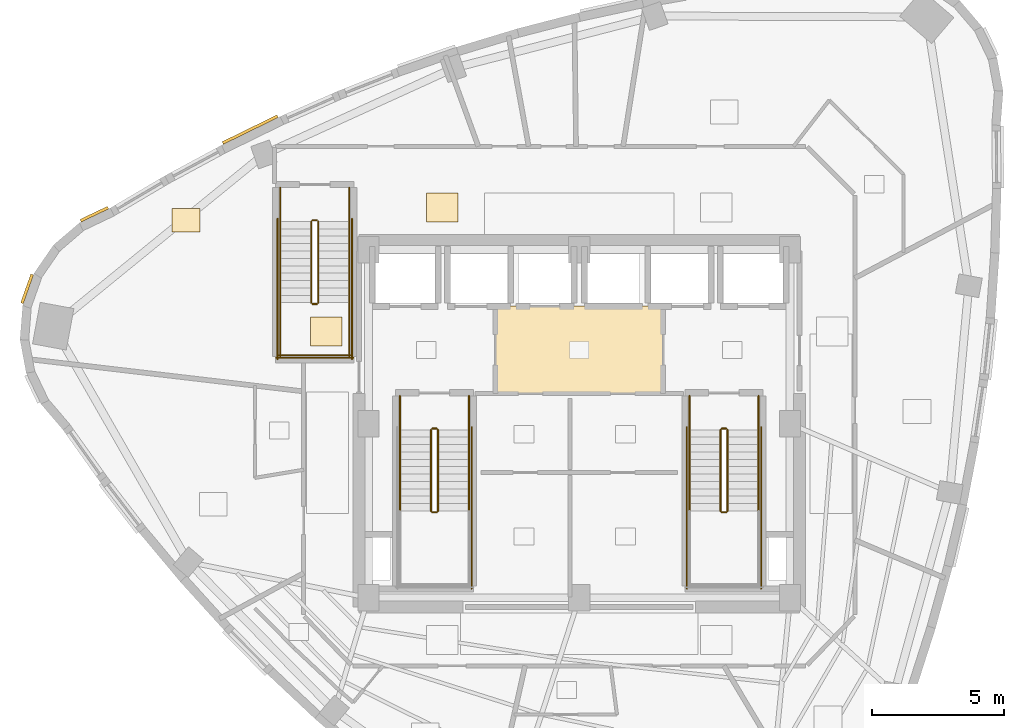
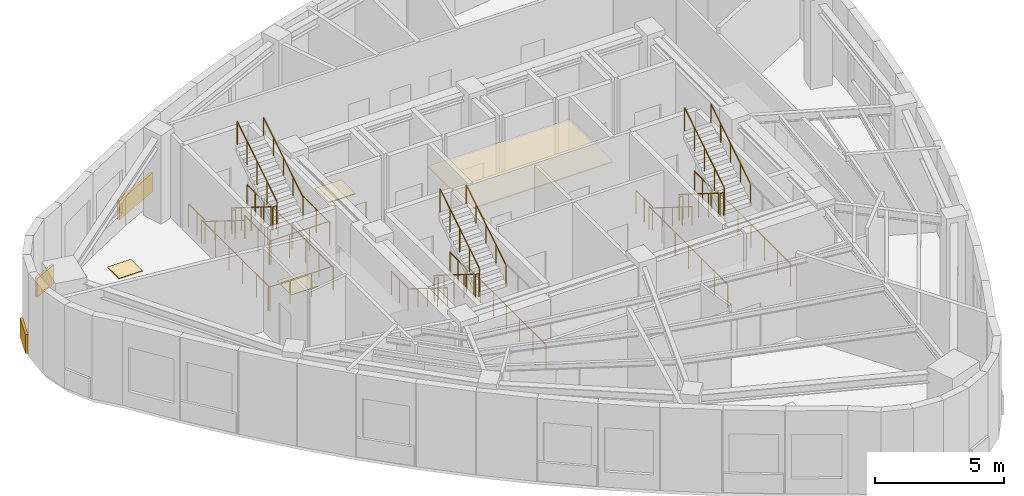
# One storey, part 8 of 9: 33 railings, 7 coverings.
"""IFC4 building model written with IfcOpenShell, lengths in metres."""

from ifc_helpers import new_model, si_unit, direction, frame, origin, origin_2d, place, context, subcontext, project, spatial, rectangle, circle, extrude, material, layer, layer_set, type_object, element, save


model = new_model("IFC4")

# Units and contexts
model_context = context("Model", 3, precision=1e-05, world=origin(), true_north=direction((0.0, 1.0)))
body_context = subcontext(model_context, "Body", "Model", "MODEL_VIEW")
ifc_project = project(units=[si_unit("LENGTHUNIT", "METRE"), si_unit("AREAUNIT", "SQUARE_METRE"), si_unit("VOLUMEUNIT", "CUBIC_METRE"), si_unit("PLANEANGLEUNIT", "RADIAN"), si_unit("MASSUNIT", "GRAM", prefix="KILO")], contexts=[model_context])

# Site, building, storey
site_placement = place(None, origin())
site = spatial("IfcSite", under=ifc_project, at=site_placement, CompositionType="ELEMENT")
building_placement = place(site_placement, origin())
building = spatial("IfcBuilding", under=site, at=building_placement, Name="Ndelora Gate Hotel", CompositionType="ELEMENT")
storey_placement = place(building_placement, frame((0.0, 0.0, 268.60009765625)))
storey = spatial("IfcBuildingStorey", under=building, at=storey_placement, Name="L67", CompositionType="ELEMENT", Elevation=268.60009765625)

# Coverings
ifc_material_1 = material(Name="Perforated Acoustic Gypsum Board", Category="gypsum")
ifc_layer_1 = layer(ifc_material_1, 0.054931640625)
ifc_layer_set_1 = layer_set([ifc_layer_1], Name="Perforated Acoustic Gypsum Board")
covering_type_1 = type_object("IfcCoveringType", Name="COV-CEIL-AC60", PredefinedType="CEILING", material=ifc_layer_set_1)
covering_1_placement = place(storey_placement, frame((0.0, 2.800048828125, 2.72265625), z_axis=(0.0, 0.0, 1.0), x_axis=(1.0, 0.0, 0.0)))
element("IfcCovering", 1, at=covering_1_placement, inside=storey, type_object=covering_type_1, Name="L67 Lift Lobby Acoustic Ceiling", PredefinedType="CEILING", context=body_context, shape_type="SweptSolid", body=[
    extrude(rectangle(XDim=6.39990234375, YDim=3.340087890625, at=origin_2d()), origin(), (0.0, 0.0, 1.0), 0.054931640625),
])
ifc_material_2 = material(Name="Terracotta Fired Clay Brick Slip Cladding", Category="masonry")
ifc_layer_2 = layer(ifc_material_2, 0.110107421875)
ifc_layer_set_2 = layer_set([ifc_layer_2], Name="Terracotta Fired Clay Brick Slip Cladding")
covering_type_2 = type_object("IfcCoveringType", Name="COV-CLAD-BRK", PredefinedType="CLADDING", material=ifc_layer_set_2)
for number, where, z_axis, x_axis, name in (
    (2, (-18.3916015625, 7.9462890625, 0.099853515625), (0.0, 0.0, 1.0), (0.90258528435, 0.430511096808, 0.0), "L67 Rounded-Corner Brick Cladding Band 1"),
    (3, (-20.940673828125, 5.115234375, 0.099853515625), (0.0, 0.0, 1.0), (0.333806859234, 0.942641491092, 0.0), "L67 Rounded-Corner Brick Cladding Band 4"),
):
    element("IfcCovering", number, at=place(storey_placement, frame(where, z_axis=z_axis, x_axis=x_axis)), inside=storey, type_object=covering_type_2, Name=name, PredefinedType="CLADDING", context=body_context, shape_type="SweptSolid", body=[
        extrude(rectangle(XDim=1.153076171875, YDim=0.110107421875, at=origin_2d()), origin(), (0.0, 0.0, 1.0), 0.89990234375),
    ])
covering_2_placement = place(storey_placement, frame((-12.480224609375, 11.15380859375, 0.099853515625), z_axis=(0.0, 0.0, 1.0), x_axis=(0.898181088787, 0.4396256723, 0.0)))
element("IfcCovering", 4, at=covering_2_placement, inside=storey, type_object=covering_type_2, Name="L67 Rounded-Corner Brick Cladding Band 58", PredefinedType="CLADDING", context=body_context, shape_type="SweptSolid", body=[
    extrude(rectangle(XDim=2.322021484375, YDim=0.110107421875, at=origin_2d()), origin(), (0.0, 0.0, 1.0), 0.89990234375),
])
ifc_material_3 = material(Name="Engineered Highland Oak Parquet", Category="wood")
ifc_layer_3 = layer(ifc_material_3, 0.030029296875)
ifc_layer_set_3 = layer_set([ifc_layer_3], Name="Engineered Highland Oak Parquet")
covering_type_3 = type_object("IfcCoveringType", Name="COV-FLR-PARQ", PredefinedType="FLOORING", material=ifc_layer_set_3)
covering_3_placement = place(storey_placement, frame((-14.9140625, 7.714111328125, 0.0), z_axis=(0.0, 0.0, 1.0), x_axis=(1.0, 0.0, 0.0)))
element("IfcCovering", 5, at=covering_3_placement, inside=storey, type_object=covering_type_3, Name="L67 Sky Garden Tea Dining Room Oak Parquet Flooring", PredefinedType="FLOORING", context=body_context, shape_type="SweptSolid", body=[
    extrude(rectangle(XDim=1.050048828125, YDim=0.89990234375, at=origin_2d()), origin(), (0.0, 0.0, 1.0), 0.030029296875),
])
ifc_material_4 = material(Name="Polished Highland Stone Terrazzo", Category="masonry")
ifc_layer_4 = layer(ifc_material_4, 0.034912109375)
ifc_layer_set_4 = layer_set([ifc_layer_4], Name="Polished Highland Stone Terrazzo")
covering_type_4 = type_object("IfcCoveringType", Name="COV-FLR-TERZ", PredefinedType="FLOORING", material=ifc_layer_set_4)
for number, where, z_axis, x_axis, name in (
    (6, (-5.199951171875, 8.199951171875, 0.0), (0.0, 0.0, 1.0), (1.0, 0.0, 0.0), "L67 Corridor Threshold Terrazzo Inlay NW"),
    (7, (-9.60009765625, 3.5, 0.0), (0.0, 0.0, 1.0), (1.0, 0.0, 0.0), "L67 Corridor Threshold Terrazzo Inlay W"),
):
    element("IfcCovering", number, at=place(storey_placement, frame(where, z_axis=z_axis, x_axis=x_axis)), inside=storey, type_object=covering_type_4, Name=name, PredefinedType="FLOORING", context=body_context, shape_type="SweptSolid", body=[
        extrude(rectangle(XDim=1.199951171875, YDim=1.10009765625, at=origin_2d()), origin(), (0.0, 0.0, 1.0), 0.034912109375),
    ])

# Railings
ifc_material_5 = material(Name="Painted Galvanized Steel Balustrade", Category="steel")
ifc_layer_5 = layer(ifc_material_5, 0.06005859375)
ifc_layer_set_5 = layer_set([ifc_layer_5], Name="Painted Galvanized Steel Balustrade")
railing_type_1 = type_object("IfcRailingType", Name="RL-STAIR-GD", PredefinedType="GUARDRAIL", material=ifc_layer_set_5)
railing_1_placement = place(storey_placement, frame((-5.6201171875, -0.22998046875, 0.1748046875)))
element("IfcRailing", 8, at=railing_1_placement, inside=storey, type_object=railing_type_1, Name="L67 ST4 stair guard 1", PredefinedType="GUARDRAIL", context=body_context, shape_type="SweptSolid", body=[
    extrude(circle(Radius=0.02392578125, at=origin_2d()), frame((0.0, 0.0, 1.10595703125), z_axis=(0.0, -0.847998304005, 0.529998940003), x_axis=(1.0, 0.0, 0.0)), (0.0, 0.0, 1.0), 3.632080078125),
    extrude(circle(Radius=0.02099609375, at=origin_2d()), origin(), (0.0, 0.0, 1.0), 1.081787109375),
    extrude(circle(Radius=0.02099609375, at=origin_2d()), frame((0.0, -0.77001953125, 0.481201171875)), (0.0, 0.0, 1.0), 1.081787109375),
    extrude(circle(Radius=0.02099609375, at=origin_2d()), frame((0.0, -1.5400390625, 0.96240234375)), (0.0, 0.0, 1.0), 1.081787109375),
    extrude(circle(Radius=0.02099609375, at=origin_2d()), frame((0.0, -2.31005859375, 1.44384765625)), (0.0, 0.0, 1.0), 1.081787109375),
    extrude(circle(Radius=0.02099609375, at=origin_2d()), frame((0.0, -3.080078125, 1.925048828125)), (0.0, 0.0, 1.0), 1.081787109375),
])
railing_2_placement = place(storey_placement, frame((-5.570068359375, -3.360107421875, 2.099853515625)))
element("IfcRailing", 9, at=railing_2_placement, inside=storey, type_object=railing_type_1, Name="L67 ST4 stair guard 2", PredefinedType="GUARDRAIL", context=body_context, shape_type="SweptSolid", body=[
    extrude(circle(Radius=0.02392578125, at=origin_2d()), frame((0.0, 0.0, 1.10595703125), z_axis=(1.0, 0.0, 0.0), x_axis=(0.0, 1.0, 0.0)), (0.0, 0.0, 1.0), 0.16015625),
    extrude(circle(Radius=0.02099609375, at=origin_2d()), origin(), (0.0, 0.0, 1.0), 1.081787109375),
    extrude(circle(Radius=0.02099609375, at=origin_2d()), frame((0.16015625, 0.0, 0.0)), (0.0, 0.0, 1.0), 1.081787109375),
])
railing_3_placement = place(storey_placement, frame((-5.360107421875, -3.31005859375, 2.27490234375)))
element("IfcRailing", 10, at=railing_3_placement, inside=storey, type_object=railing_type_1, Name="L67 ST4 stair guard 6", PredefinedType="GUARDRAIL", context=body_context, shape_type="SweptSolid", body=[
    extrude(circle(Radius=0.02392578125, at=origin_2d()), frame((0.0, 0.0, 1.10595703125), z_axis=(0.0, 0.847998304005, 0.529998940003), x_axis=(-1.0, 0.0, 0.0)), (0.0, 0.0, 1.0), 3.632080078125),
    extrude(circle(Radius=0.02099609375, at=origin_2d()), origin(), (0.0, 0.0, 1.0), 1.081787109375),
    extrude(circle(Radius=0.02099609375, at=origin_2d()), frame((0.0, 0.77001953125, 0.481201171875)), (0.0, 0.0, 1.0), 1.081787109375),
    extrude(circle(Radius=0.02099609375, at=origin_2d()), frame((0.0, 1.5400390625, 0.96240234375)), (0.0, 0.0, 1.0), 1.081787109375),
    extrude(circle(Radius=0.02099609375, at=origin_2d()), frame((0.0, 2.31005859375, 1.44384765625)), (0.0, 0.0, 1.0), 1.081787109375),
    extrude(circle(Radius=0.02099609375, at=origin_2d()), frame((0.0, 3.080078125, 1.925048828125)), (0.0, 0.0, 1.0), 1.081787109375),
])
railing_4_placement = place(storey_placement, frame((-5.570068359375, -0.179931640625, 0.0)))
element("IfcRailing", 11, at=railing_4_placement, inside=storey, type_object=railing_type_1, Name="L67 ST4 stair guard 7", PredefinedType="GUARDRAIL", context=body_context, shape_type="SweptSolid", body=[
    extrude(circle(Radius=0.02392578125, at=origin_2d()), frame((0.0, 0.0, 1.10595703125), z_axis=(1.0, 0.0, 0.0), x_axis=(0.0, 1.0, 0.0)), (0.0, 0.0, 1.0), 0.16015625),
    extrude(circle(Radius=0.02099609375, at=origin_2d()), origin(), (0.0, 0.0, 1.0), 1.081787109375),
    extrude(circle(Radius=0.02099609375, at=origin_2d()), frame((0.16015625, 0.0, 0.0)), (0.0, 0.0, 1.0), 1.081787109375),
])
for number, where, name in (
    (12, (-6.800048828125, 1.050048828125, 0.0), "L67 ST4 stair guard 8"),
    (13, (-4.179931640625, 1.050048828125, 0.0), "L67 ST4 stair guard 9"),
):
    element("IfcRailing", number, at=place(storey_placement, frame(where)), inside=storey, type_object=railing_type_1, Name=name, PredefinedType="GUARDRAIL", context=body_context, shape_type="SweptSolid", body=[
        extrude(circle(Radius=0.02392578125, at=origin_2d()), frame((0.0, 0.0, 1.10595703125), z_axis=(0.0, -1.0, 0.0), x_axis=(1.0, 0.0, 0.0)), (0.0, 0.0, 1.0), 1.280029296875),
        extrude(circle(Radius=0.02099609375, at=origin_2d()), origin(), (0.0, 0.0, 1.0), 1.081787109375),
        extrude(circle(Radius=0.02099609375, at=origin_2d()), frame((0.0, -0.64013671875, 0.0)), (0.0, 0.0, 1.0), 1.081787109375),
        extrude(circle(Radius=0.02099609375, at=origin_2d()), frame((0.0, -1.280029296875, 0.0)), (0.0, 0.0, 1.0), 1.081787109375),
    ])
railing_5_placement = place(storey_placement, frame((-4.080078125, -0.1298828125, 0.0)))
element("IfcRailing", 14, at=railing_5_placement, inside=storey, type_object=railing_type_1, Name="L67 ST4 stair guard 11", PredefinedType="GUARDRAIL", context=body_context, shape_type="SweptSolid", body=[
    extrude(circle(Radius=0.02392578125, at=origin_2d()), frame((0.0, 0.0, 1.10595703125), z_axis=(0.0, -1.0, 0.0), x_axis=(1.0, 0.0, 0.0)), (0.0, 0.0, 1.0), 6.1201171875),
    extrude(circle(Radius=0.02099609375, at=origin_2d()), origin(), (0.0, 0.0, 1.0), 1.081787109375),
    extrude(circle(Radius=0.02099609375, at=origin_2d()), frame((0.0, -1.02001953125, 0.0)), (0.0, 0.0, 1.0), 1.081787109375),
    extrude(circle(Radius=0.02099609375, at=origin_2d()), frame((0.0, -2.0400390625, 0.0)), (0.0, 0.0, 1.0), 1.081787109375),
    extrude(circle(Radius=0.02099609375, at=origin_2d()), frame((0.0, -3.06005859375, 0.0)), (0.0, 0.0, 1.0), 1.081787109375),
    extrude(circle(Radius=0.02099609375, at=origin_2d()), frame((0.0, -4.080078125, 0.0)), (0.0, 0.0, 1.0), 1.081787109375),
    extrude(circle(Radius=0.02099609375, at=origin_2d()), frame((0.0, -5.10009765625, 0.0)), (0.0, 0.0, 1.0), 1.081787109375),
    extrude(circle(Radius=0.02099609375, at=origin_2d()), frame((0.0, -6.1201171875, 0.0)), (0.0, 0.0, 1.0), 1.081787109375),
])
railing_6_placement = place(storey_placement, frame((5.360107421875, -0.22998046875, 0.1748046875)))
element("IfcRailing", 15, at=railing_6_placement, inside=storey, type_object=railing_type_1, Name="L67 ST5 stair guard 1", PredefinedType="GUARDRAIL", context=body_context, shape_type="SweptSolid", body=[
    extrude(circle(Radius=0.02392578125, at=origin_2d()), frame((0.0, 0.0, 1.10595703125), z_axis=(0.0, -0.847998304005, 0.529998940003), x_axis=(1.0, 0.0, 0.0)), (0.0, 0.0, 1.0), 3.632080078125),
    extrude(circle(Radius=0.02099609375, at=origin_2d()), origin(), (0.0, 0.0, 1.0), 1.081787109375),
    extrude(circle(Radius=0.02099609375, at=origin_2d()), frame((0.0, -0.77001953125, 0.481201171875)), (0.0, 0.0, 1.0), 1.081787109375),
    extrude(circle(Radius=0.02099609375, at=origin_2d()), frame((0.0, -1.5400390625, 0.96240234375)), (0.0, 0.0, 1.0), 1.081787109375),
    extrude(circle(Radius=0.02099609375, at=origin_2d()), frame((0.0, -2.31005859375, 1.44384765625)), (0.0, 0.0, 1.0), 1.081787109375),
    extrude(circle(Radius=0.02099609375, at=origin_2d()), frame((0.0, -3.080078125, 1.925048828125)), (0.0, 0.0, 1.0), 1.081787109375),
])
railing_7_placement = place(storey_placement, frame((5.409912109375, -3.360107421875, 2.099853515625)))
element("IfcRailing", 16, at=railing_7_placement, inside=storey, type_object=railing_type_1, Name="L67 ST5 stair guard 2", PredefinedType="GUARDRAIL", context=body_context, shape_type="SweptSolid", body=[
    extrude(circle(Radius=0.02392578125, at=origin_2d()), frame((0.0, 0.0, 1.10595703125), z_axis=(1.0, 0.0, 0.0), x_axis=(0.0, 1.0, 0.0)), (0.0, 0.0, 1.0), 0.16015625),
    extrude(circle(Radius=0.02099609375, at=origin_2d()), origin(), (0.0, 0.0, 1.0), 1.081787109375),
    extrude(circle(Radius=0.02099609375, at=origin_2d()), frame((0.16015625, 0.0, 0.0)), (0.0, 0.0, 1.0), 1.081787109375),
])
railing_8_placement = place(storey_placement, frame((5.6201171875, -3.31005859375, 2.27490234375)))
element("IfcRailing", 17, at=railing_8_placement, inside=storey, type_object=railing_type_1, Name="L67 ST5 stair guard 6", PredefinedType="GUARDRAIL", context=body_context, shape_type="SweptSolid", body=[
    extrude(circle(Radius=0.02392578125, at=origin_2d()), frame((0.0, 0.0, 1.10595703125), z_axis=(0.0, 0.847998304005, 0.529998940003), x_axis=(-1.0, 0.0, 0.0)), (0.0, 0.0, 1.0), 3.632080078125),
    extrude(circle(Radius=0.02099609375, at=origin_2d()), origin(), (0.0, 0.0, 1.0), 1.081787109375),
    extrude(circle(Radius=0.02099609375, at=origin_2d()), frame((0.0, 0.77001953125, 0.481201171875)), (0.0, 0.0, 1.0), 1.081787109375),
    extrude(circle(Radius=0.02099609375, at=origin_2d()), frame((0.0, 1.5400390625, 0.96240234375)), (0.0, 0.0, 1.0), 1.081787109375),
    extrude(circle(Radius=0.02099609375, at=origin_2d()), frame((0.0, 2.31005859375, 1.44384765625)), (0.0, 0.0, 1.0), 1.081787109375),
    extrude(circle(Radius=0.02099609375, at=origin_2d()), frame((0.0, 3.080078125, 1.925048828125)), (0.0, 0.0, 1.0), 1.081787109375),
])
railing_9_placement = place(storey_placement, frame((5.409912109375, -0.179931640625, 0.0)))
element("IfcRailing", 18, at=railing_9_placement, inside=storey, type_object=railing_type_1, Name="L67 ST5 stair guard 7", PredefinedType="GUARDRAIL", context=body_context, shape_type="SweptSolid", body=[
    extrude(circle(Radius=0.02392578125, at=origin_2d()), frame((0.0, 0.0, 1.10595703125), z_axis=(1.0, 0.0, 0.0), x_axis=(0.0, 1.0, 0.0)), (0.0, 0.0, 1.0), 0.16015625),
    extrude(circle(Radius=0.02099609375, at=origin_2d()), origin(), (0.0, 0.0, 1.0), 1.081787109375),
    extrude(circle(Radius=0.02099609375, at=origin_2d()), frame((0.16015625, 0.0, 0.0)), (0.0, 0.0, 1.0), 1.081787109375),
])
for number, where, name in (
    (19, (4.179931640625, 1.050048828125, 0.0), "L67 ST5 stair guard 8"),
    (20, (6.800048828125, 1.050048828125, 0.0), "L67 ST5 stair guard 9"),
):
    element("IfcRailing", number, at=place(storey_placement, frame(where)), inside=storey, type_object=railing_type_1, Name=name, PredefinedType="GUARDRAIL", context=body_context, shape_type="SweptSolid", body=[
        extrude(circle(Radius=0.02392578125, at=origin_2d()), frame((0.0, 0.0, 1.10595703125), z_axis=(0.0, -1.0, 0.0), x_axis=(1.0, 0.0, 0.0)), (0.0, 0.0, 1.0), 1.280029296875),
        extrude(circle(Radius=0.02099609375, at=origin_2d()), origin(), (0.0, 0.0, 1.0), 1.081787109375),
        extrude(circle(Radius=0.02099609375, at=origin_2d()), frame((0.0, -0.64013671875, 0.0)), (0.0, 0.0, 1.0), 1.081787109375),
        extrude(circle(Radius=0.02099609375, at=origin_2d()), frame((0.0, -1.280029296875, 0.0)), (0.0, 0.0, 1.0), 1.081787109375),
    ])
for number, where, name in (
    (21, (4.080078125, -0.1298828125, 0.0), "L67 ST5 stair guard 10"),
    (22, (6.89990234375, -0.1298828125, 0.0), "L67 ST5 stair guard 11"),
):
    element("IfcRailing", number, at=place(storey_placement, frame(where)), inside=storey, type_object=railing_type_1, Name=name, PredefinedType="GUARDRAIL", context=body_context, shape_type="SweptSolid", body=[
        extrude(circle(Radius=0.02392578125, at=origin_2d()), frame((0.0, 0.0, 1.10595703125), z_axis=(0.0, -1.0, 0.0), x_axis=(1.0, 0.0, 0.0)), (0.0, 0.0, 1.0), 6.1201171875),
        extrude(circle(Radius=0.02099609375, at=origin_2d()), origin(), (0.0, 0.0, 1.0), 1.081787109375),
        extrude(circle(Radius=0.02099609375, at=origin_2d()), frame((0.0, -1.02001953125, 0.0)), (0.0, 0.0, 1.0), 1.081787109375),
        extrude(circle(Radius=0.02099609375, at=origin_2d()), frame((0.0, -2.0400390625, 0.0)), (0.0, 0.0, 1.0), 1.081787109375),
        extrude(circle(Radius=0.02099609375, at=origin_2d()), frame((0.0, -3.06005859375, 0.0)), (0.0, 0.0, 1.0), 1.081787109375),
        extrude(circle(Radius=0.02099609375, at=origin_2d()), frame((0.0, -4.080078125, 0.0)), (0.0, 0.0, 1.0), 1.081787109375),
        extrude(circle(Radius=0.02099609375, at=origin_2d()), frame((0.0, -5.10009765625, 0.0)), (0.0, 0.0, 1.0), 1.081787109375),
        extrude(circle(Radius=0.02099609375, at=origin_2d()), frame((0.0, -6.1201171875, 0.0)), (0.0, 0.0, 1.0), 1.081787109375),
    ])
railing_10_placement = place(storey_placement, frame((-10.159912109375, 7.669921875, 0.1748046875)))
element("IfcRailing", 23, at=railing_10_placement, inside=storey, type_object=railing_type_1, Name="L67 ST6 stair guard 1", PredefinedType="GUARDRAIL", context=body_context, shape_type="SweptSolid", body=[
    extrude(circle(Radius=0.02392578125, at=origin_2d()), frame((0.0, 0.0, 1.10595703125), z_axis=(0.0, -0.847979421464, 0.530029150871), x_axis=(1.0, 0.0, 0.0)), (0.0, 0.0, 1.0), 3.632080078125),
    extrude(circle(Radius=0.02099609375, at=origin_2d()), origin(), (0.0, 0.0, 1.0), 1.081787109375),
    extrude(circle(Radius=0.02099609375, at=origin_2d()), frame((0.0, -0.77001953125, 0.481201171875)), (0.0, 0.0, 1.0), 1.081787109375),
    extrude(circle(Radius=0.02099609375, at=origin_2d()), frame((0.0, -1.5400390625, 0.96240234375)), (0.0, 0.0, 1.0), 1.081787109375),
    extrude(circle(Radius=0.02099609375, at=origin_2d()), frame((0.0, -2.309814453125, 1.44384765625)), (0.0, 0.0, 1.0), 1.081787109375),
    extrude(circle(Radius=0.02099609375, at=origin_2d()), frame((0.0, -3.079833984375, 1.925048828125)), (0.0, 0.0, 1.0), 1.081787109375),
])
railing_11_placement = place(storey_placement, frame((-10.110107421875, 4.5400390625, 2.099853515625)))
element("IfcRailing", 24, at=railing_11_placement, inside=storey, type_object=railing_type_1, Name="L67 ST6 stair guard 2", PredefinedType="GUARDRAIL", context=body_context, shape_type="SweptSolid", body=[
    extrude(circle(Radius=0.02392578125, at=origin_2d()), frame((0.0, 0.0, 1.10595703125), z_axis=(1.0, 0.0, 0.0), x_axis=(0.0, 1.0, 0.0)), (0.0, 0.0, 1.0), 0.16015625),
    extrude(circle(Radius=0.02099609375, at=origin_2d()), origin(), (0.0, 0.0, 1.0), 1.081787109375),
    extrude(circle(Radius=0.02099609375, at=origin_2d()), frame((0.16015625, 0.0, 0.0)), (0.0, 0.0, 1.0), 1.081787109375),
])
for number, where, name in (
    (25, (-11.340087890625, 4.590087890625, 2.099853515625), "L67 ST6 stair guard 3"),
    (26, (-8.719970703125, 4.590087890625, 2.099853515625), "L67 ST6 stair guard 4"),
):
    element("IfcRailing", number, at=place(storey_placement, frame(where)), inside=storey, type_object=railing_type_1, Name=name, PredefinedType="GUARDRAIL", context=body_context, shape_type="SweptSolid", body=[
        extrude(circle(Radius=0.02392578125, at=origin_2d()), frame((0.0, 0.0, 1.10595703125), z_axis=(0.0, -1.0, 0.0), x_axis=(1.0, 0.0, 0.0)), (0.0, 0.0, 1.0), 2.0400390625),
        extrude(circle(Radius=0.02099609375, at=origin_2d()), origin(), (0.0, 0.0, 1.0), 1.081787109375),
        extrude(circle(Radius=0.02099609375, at=origin_2d()), frame((0.0, -1.02001953125, 0.0)), (0.0, 0.0, 1.0), 1.081787109375),
        extrude(circle(Radius=0.02099609375, at=origin_2d()), frame((0.0, -2.0400390625, 0.0)), (0.0, 0.0, 1.0), 1.081787109375),
    ])
railing_12_placement = place(storey_placement, frame((-11.389892578125, 2.60009765625, 2.099853515625)))
element("IfcRailing", 27, at=railing_12_placement, inside=storey, type_object=railing_type_1, Name="L67 ST6 stair guard 5", PredefinedType="GUARDRAIL", context=body_context, shape_type="SweptSolid", body=[
    extrude(circle(Radius=0.02392578125, at=origin_2d()), frame((0.0, 0.0, 1.10595703125), z_axis=(1.0, 0.0, 0.0), x_axis=(0.0, 1.0, 0.0)), (0.0, 0.0, 1.0), 2.719970703125),
    extrude(circle(Radius=0.02099609375, at=origin_2d()), origin(), (0.0, 0.0, 1.0), 1.081787109375),
    extrude(circle(Radius=0.02099609375, at=origin_2d()), frame((0.90673828125, 0.0, 0.0)), (0.0, 0.0, 1.0), 1.081787109375),
    extrude(circle(Radius=0.02099609375, at=origin_2d()), frame((1.813232421875, 0.0, 0.0)), (0.0, 0.0, 1.0), 1.081787109375),
    extrude(circle(Radius=0.02099609375, at=origin_2d()), frame((2.719970703125, 0.0, 0.0)), (0.0, 0.0, 1.0), 1.081787109375),
])
railing_13_placement = place(storey_placement, frame((-9.89990234375, 4.590087890625, 2.27490234375)))
element("IfcRailing", 28, at=railing_13_placement, inside=storey, type_object=railing_type_1, Name="L67 ST6 stair guard 6", PredefinedType="GUARDRAIL", context=body_context, shape_type="SweptSolid", body=[
    extrude(circle(Radius=0.02392578125, at=origin_2d()), frame((0.0, 0.0, 1.10595703125), z_axis=(0.0, 0.847979421464, 0.530029150871), x_axis=(-1.0, 0.0, 0.0)), (0.0, 0.0, 1.0), 3.632080078125),
    extrude(circle(Radius=0.02099609375, at=origin_2d()), origin(), (0.0, 0.0, 1.0), 1.081787109375),
    extrude(circle(Radius=0.02099609375, at=origin_2d()), frame((0.0, 0.77001953125, 0.481201171875)), (0.0, 0.0, 1.0), 1.081787109375),
    extrude(circle(Radius=0.02099609375, at=origin_2d()), frame((0.0, 1.5400390625, 0.96240234375)), (0.0, 0.0, 1.0), 1.081787109375),
    extrude(circle(Radius=0.02099609375, at=origin_2d()), frame((0.0, 2.309814453125, 1.44384765625)), (0.0, 0.0, 1.0), 1.081787109375),
    extrude(circle(Radius=0.02099609375, at=origin_2d()), frame((0.0, 3.079833984375, 1.925048828125)), (0.0, 0.0, 1.0), 1.081787109375),
])
railing_14_placement = place(storey_placement, frame((-10.110107421875, 7.719970703125, 0.0)))
element("IfcRailing", 29, at=railing_14_placement, inside=storey, type_object=railing_type_1, Name="L67 ST6 stair guard 7", PredefinedType="GUARDRAIL", context=body_context, shape_type="SweptSolid", body=[
    extrude(circle(Radius=0.02392578125, at=origin_2d()), frame((0.0, 0.0, 1.10595703125), z_axis=(1.0, 0.0, 0.0), x_axis=(0.0, 1.0, 0.0)), (0.0, 0.0, 1.0), 0.16015625),
    extrude(circle(Radius=0.02099609375, at=origin_2d()), origin(), (0.0, 0.0, 1.0), 1.081787109375),
    extrude(circle(Radius=0.02099609375, at=origin_2d()), frame((0.16015625, 0.0, 0.0)), (0.0, 0.0, 1.0), 1.081787109375),
])
for number, where, name in (
    (30, (-11.340087890625, 8.949951171875, 0.0), "L67 ST6 stair guard 8"),
    (31, (-8.719970703125, 8.949951171875, 0.0), "L67 ST6 stair guard 9"),
):
    element("IfcRailing", number, at=place(storey_placement, frame(where)), inside=storey, type_object=railing_type_1, Name=name, PredefinedType="GUARDRAIL", context=body_context, shape_type="SweptSolid", body=[
        extrude(circle(Radius=0.02392578125, at=origin_2d()), frame((0.0, 0.0, 1.10595703125), z_axis=(0.0, -1.0, 0.0), x_axis=(1.0, 0.0, 0.0)), (0.0, 0.0, 1.0), 1.280029296875),
        extrude(circle(Radius=0.02099609375, at=origin_2d()), origin(), (0.0, 0.0, 1.0), 1.081787109375),
        extrude(circle(Radius=0.02099609375, at=origin_2d()), frame((0.0, -0.64013671875, 0.0)), (0.0, 0.0, 1.0), 1.081787109375),
        extrude(circle(Radius=0.02099609375, at=origin_2d()), frame((0.0, -1.280029296875, 0.0)), (0.0, 0.0, 1.0), 1.081787109375),
    ])
for number, where, name in (
    (32, (-11.43994140625, 7.77001953125, 0.0), "L67 ST6 stair guard 10"),
    (33, (-8.6201171875, 7.77001953125, 0.0), "L67 ST6 stair guard 11"),
):
    element("IfcRailing", number, at=place(storey_placement, frame(where)), inside=storey, type_object=railing_type_1, Name=name, PredefinedType="GUARDRAIL", context=body_context, shape_type="SweptSolid", body=[
        extrude(circle(Radius=0.02392578125, at=origin_2d()), frame((0.0, 0.0, 1.10595703125), z_axis=(0.0, -1.0, 0.0), x_axis=(1.0, 0.0, 0.0)), (0.0, 0.0, 1.0), 5.320068359375),
        extrude(circle(Radius=0.02099609375, at=origin_2d()), origin(), (0.0, 0.0, 1.0), 1.081787109375),
        extrude(circle(Radius=0.02099609375, at=origin_2d()), frame((0.0, -1.06396484375, 0.0)), (0.0, 0.0, 1.0), 1.081787109375),
        extrude(circle(Radius=0.02099609375, at=origin_2d()), frame((0.0, -2.1279296875, 0.0)), (0.0, 0.0, 1.0), 1.081787109375),
        extrude(circle(Radius=0.02099609375, at=origin_2d()), frame((0.0, -3.192138671875, 0.0)), (0.0, 0.0, 1.0), 1.081787109375),
        extrude(circle(Radius=0.02099609375, at=origin_2d()), frame((0.0, -4.256103515625, 0.0)), (0.0, 0.0, 1.0), 1.081787109375),
        extrude(circle(Radius=0.02099609375, at=origin_2d()), frame((0.0, -5.320068359375, 0.0)), (0.0, 0.0, 1.0), 1.081787109375),
    ])
railing_15_placement = place(storey_placement, frame((-11.489990234375, 2.5, 0.0)))
element("IfcRailing", 34, at=railing_15_placement, inside=storey, type_object=railing_type_1, Name="L67 ST6 stair guard 12", PredefinedType="GUARDRAIL", context=body_context, shape_type="SweptSolid", body=[
    extrude(circle(Radius=0.02392578125, at=origin_2d()), frame((0.0, 0.0, 1.10595703125), z_axis=(1.0, 0.0, 0.0), x_axis=(0.0, 1.0, 0.0)), (0.0, 0.0, 1.0), 2.919921875),
    extrude(circle(Radius=0.02099609375, at=origin_2d()), origin(), (0.0, 0.0, 1.0), 1.081787109375),
    extrude(circle(Radius=0.02099609375, at=origin_2d()), frame((0.973388671875, 0.0, 0.0)), (0.0, 0.0, 1.0), 1.081787109375),
    extrude(circle(Radius=0.02099609375, at=origin_2d()), frame((1.946533203125, 0.0, 0.0)), (0.0, 0.0, 1.0), 1.081787109375),
    extrude(circle(Radius=0.02099609375, at=origin_2d()), frame((2.919921875, 0.0, 0.0)), (0.0, 0.0, 1.0), 1.081787109375),
])
ifc_material_6 = material(Name="Brushed Stainless Steel 316", Category="steel")
ifc_layer_6 = layer(ifc_material_6, 0.050048828125)
ifc_layer_set_6 = layer_set([ifc_layer_6], Name="Brushed Stainless Steel 316")
railing_type_2 = type_object("IfcRailingType", Name="RL-STAIR-HR", PredefinedType="HANDRAIL", material=ifc_layer_set_6)
railing_16_placement = place(storey_placement, frame((-6.800048828125, -0.22998046875, 0.1748046875)))
element("IfcRailing", 35, at=railing_16_placement, inside=storey, type_object=railing_type_2, Name="L67 ST4 stair handrail 1", PredefinedType="HANDRAIL", context=body_context, shape_type="SweptSolid", body=[
    extrude(circle(Radius=0.02392578125, at=origin_2d()), frame((0.0, 0.0, 0.8759765625), z_axis=(0.0, -0.847998304005, 0.529998940003), x_axis=(1.0, 0.0, 0.0)), (0.0, 0.0, 1.0), 3.632080078125),
    extrude(circle(Radius=0.02099609375, at=origin_2d()), origin(), (0.0, 0.0, 1.0), 0.851806640625),
    extrude(circle(Radius=0.02099609375, at=origin_2d()), frame((0.0, -0.77001953125, 0.481201171875)), (0.0, 0.0, 1.0), 0.851806640625),
    extrude(circle(Radius=0.02099609375, at=origin_2d()), frame((0.0, -1.5400390625, 0.96240234375)), (0.0, 0.0, 1.0), 0.851806640625),
    extrude(circle(Radius=0.02099609375, at=origin_2d()), frame((0.0, -2.31005859375, 1.44384765625)), (0.0, 0.0, 1.0), 0.851806640625),
    extrude(circle(Radius=0.02099609375, at=origin_2d()), frame((0.0, -3.080078125, 1.925048828125)), (0.0, 0.0, 1.0), 0.851806640625),
])
railing_17_placement = place(storey_placement, frame((-4.179931640625, -3.31005859375, 2.27490234375)))
element("IfcRailing", 36, at=railing_17_placement, inside=storey, type_object=railing_type_2, Name="L67 ST4 stair handrail 2", PredefinedType="HANDRAIL", context=body_context, shape_type="SweptSolid", body=[
    extrude(circle(Radius=0.02392578125, at=origin_2d()), frame((0.0, 0.0, 0.8759765625), z_axis=(0.0, 0.847998304005, 0.529998940003), x_axis=(-1.0, 0.0, 0.0)), (0.0, 0.0, 1.0), 3.632080078125),
    extrude(circle(Radius=0.02099609375, at=origin_2d()), origin(), (0.0, 0.0, 1.0), 0.851806640625),
    extrude(circle(Radius=0.02099609375, at=origin_2d()), frame((0.0, 0.77001953125, 0.481201171875)), (0.0, 0.0, 1.0), 0.851806640625),
    extrude(circle(Radius=0.02099609375, at=origin_2d()), frame((0.0, 1.5400390625, 0.96240234375)), (0.0, 0.0, 1.0), 0.851806640625),
    extrude(circle(Radius=0.02099609375, at=origin_2d()), frame((0.0, 2.31005859375, 1.44384765625)), (0.0, 0.0, 1.0), 0.851806640625),
    extrude(circle(Radius=0.02099609375, at=origin_2d()), frame((0.0, 3.080078125, 1.925048828125)), (0.0, 0.0, 1.0), 0.851806640625),
])
railing_18_placement = place(storey_placement, frame((4.179931640625, -0.22998046875, 0.1748046875)))
element("IfcRailing", 37, at=railing_18_placement, inside=storey, type_object=railing_type_2, Name="L67 ST5 stair handrail 1", PredefinedType="HANDRAIL", context=body_context, shape_type="SweptSolid", body=[
    extrude(circle(Radius=0.02392578125, at=origin_2d()), frame((0.0, 0.0, 0.8759765625), z_axis=(0.0, -0.847998304005, 0.529998940003), x_axis=(1.0, 0.0, 0.0)), (0.0, 0.0, 1.0), 3.632080078125),
    extrude(circle(Radius=0.02099609375, at=origin_2d()), origin(), (0.0, 0.0, 1.0), 0.851806640625),
    extrude(circle(Radius=0.02099609375, at=origin_2d()), frame((0.0, -0.77001953125, 0.481201171875)), (0.0, 0.0, 1.0), 0.851806640625),
    extrude(circle(Radius=0.02099609375, at=origin_2d()), frame((0.0, -1.5400390625, 0.96240234375)), (0.0, 0.0, 1.0), 0.851806640625),
    extrude(circle(Radius=0.02099609375, at=origin_2d()), frame((0.0, -2.31005859375, 1.44384765625)), (0.0, 0.0, 1.0), 0.851806640625),
    extrude(circle(Radius=0.02099609375, at=origin_2d()), frame((0.0, -3.080078125, 1.925048828125)), (0.0, 0.0, 1.0), 0.851806640625),
])
railing_19_placement = place(storey_placement, frame((6.800048828125, -3.31005859375, 2.27490234375)))
element("IfcRailing", 38, at=railing_19_placement, inside=storey, type_object=railing_type_2, Name="L67 ST5 stair handrail 2", PredefinedType="HANDRAIL", context=body_context, shape_type="SweptSolid", body=[
    extrude(circle(Radius=0.02392578125, at=origin_2d()), frame((0.0, 0.0, 0.8759765625), z_axis=(0.0, 0.847998304005, 0.529998940003), x_axis=(-1.0, 0.0, 0.0)), (0.0, 0.0, 1.0), 3.632080078125),
    extrude(circle(Radius=0.02099609375, at=origin_2d()), origin(), (0.0, 0.0, 1.0), 0.851806640625),
    extrude(circle(Radius=0.02099609375, at=origin_2d()), frame((0.0, 0.77001953125, 0.481201171875)), (0.0, 0.0, 1.0), 0.851806640625),
    extrude(circle(Radius=0.02099609375, at=origin_2d()), frame((0.0, 1.5400390625, 0.96240234375)), (0.0, 0.0, 1.0), 0.851806640625),
    extrude(circle(Radius=0.02099609375, at=origin_2d()), frame((0.0, 2.31005859375, 1.44384765625)), (0.0, 0.0, 1.0), 0.851806640625),
    extrude(circle(Radius=0.02099609375, at=origin_2d()), frame((0.0, 3.080078125, 1.925048828125)), (0.0, 0.0, 1.0), 0.851806640625),
])
railing_20_placement = place(storey_placement, frame((-11.340087890625, 7.669921875, 0.1748046875)))
element("IfcRailing", 39, at=railing_20_placement, inside=storey, type_object=railing_type_2, Name="L67 ST6 stair handrail 1", PredefinedType="HANDRAIL", context=body_context, shape_type="SweptSolid", body=[
    extrude(circle(Radius=0.02392578125, at=origin_2d()), frame((0.0, 0.0, 0.8759765625), z_axis=(0.0, -0.847979421464, 0.530029150871), x_axis=(1.0, 0.0, 0.0)), (0.0, 0.0, 1.0), 3.632080078125),
    extrude(circle(Radius=0.02099609375, at=origin_2d()), origin(), (0.0, 0.0, 1.0), 0.851806640625),
    extrude(circle(Radius=0.02099609375, at=origin_2d()), frame((0.0, -0.77001953125, 0.481201171875)), (0.0, 0.0, 1.0), 0.851806640625),
    extrude(circle(Radius=0.02099609375, at=origin_2d()), frame((0.0, -1.5400390625, 0.96240234375)), (0.0, 0.0, 1.0), 0.851806640625),
    extrude(circle(Radius=0.02099609375, at=origin_2d()), frame((0.0, -2.309814453125, 1.44384765625)), (0.0, 0.0, 1.0), 0.851806640625),
    extrude(circle(Radius=0.02099609375, at=origin_2d()), frame((0.0, -3.079833984375, 1.925048828125)), (0.0, 0.0, 1.0), 0.851806640625),
])
railing_21_placement = place(storey_placement, frame((-8.719970703125, 4.590087890625, 2.27490234375)))
element("IfcRailing", 40, at=railing_21_placement, inside=storey, type_object=railing_type_2, Name="L67 ST6 stair handrail 2", PredefinedType="HANDRAIL", context=body_context, shape_type="SweptSolid", body=[
    extrude(circle(Radius=0.02392578125, at=origin_2d()), frame((0.0, 0.0, 0.8759765625), z_axis=(0.0, 0.847979421464, 0.530029150871), x_axis=(-1.0, 0.0, 0.0)), (0.0, 0.0, 1.0), 3.632080078125),
    extrude(circle(Radius=0.02099609375, at=origin_2d()), origin(), (0.0, 0.0, 1.0), 0.851806640625),
    extrude(circle(Radius=0.02099609375, at=origin_2d()), frame((0.0, 0.77001953125, 0.481201171875)), (0.0, 0.0, 1.0), 0.851806640625),
    extrude(circle(Radius=0.02099609375, at=origin_2d()), frame((0.0, 1.5400390625, 0.96240234375)), (0.0, 0.0, 1.0), 0.851806640625),
    extrude(circle(Radius=0.02099609375, at=origin_2d()), frame((0.0, 2.309814453125, 1.44384765625)), (0.0, 0.0, 1.0), 0.851806640625),
    extrude(circle(Radius=0.02099609375, at=origin_2d()), frame((0.0, 3.079833984375, 1.925048828125)), (0.0, 0.0, 1.0), 0.851806640625),
])

save(model, "model.ifc")
